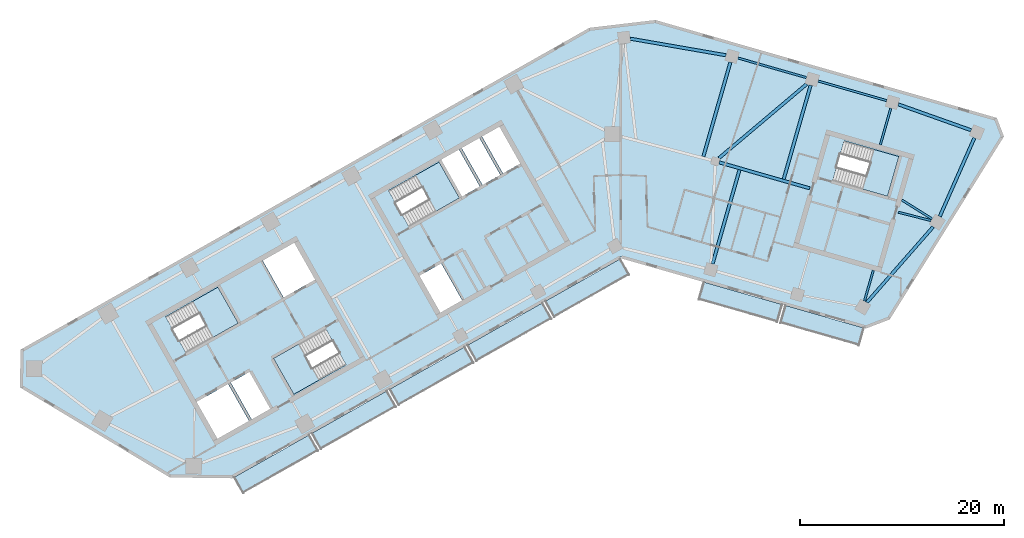
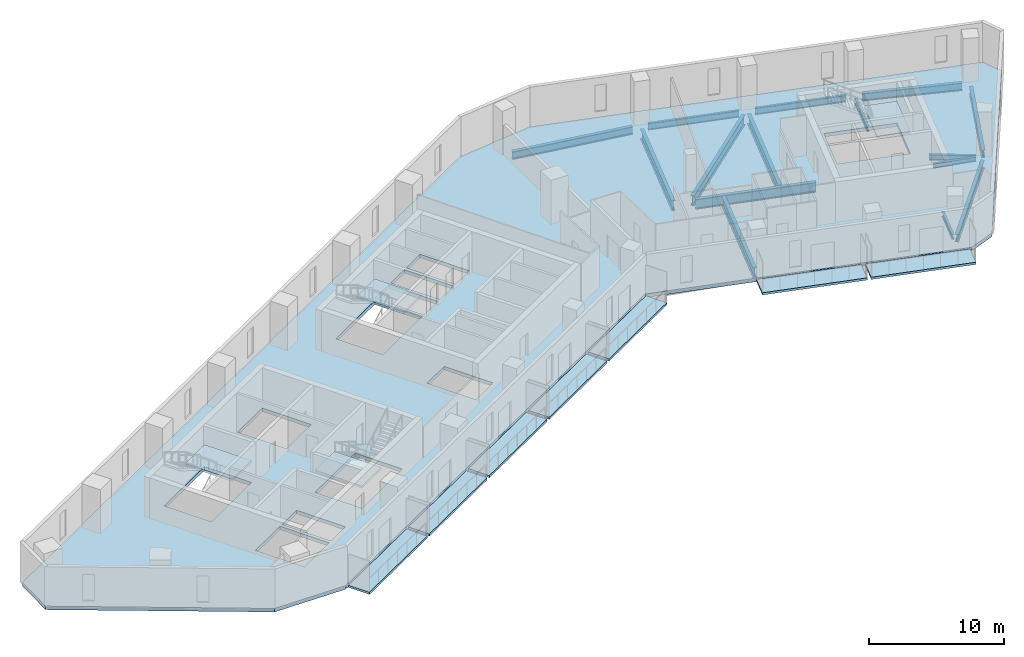
# One storey, part 2 of 9: 15 beams, 12 slabs, 4 elements without a shape of their own.
"""IFC4 building model written with IfcOpenShell, lengths in metres."""

from ifc_helpers import new_model, si_unit, direction, frame, origin, origin_2d, place, context, subcontext, project, spatial, polyline, i_section, outline, extrude, material, layer, layer_set, material_profile, profile_set, type_object, element, aggregate, save


model = new_model("IFC4")

# Units and contexts
model_context = context("Model", 3, precision=1e-05, world=origin(), true_north=direction((0.0, 1.0)))
body_context = subcontext(model_context, "Body", "Model", "MODEL_VIEW")
ifc_project = project(units=[si_unit("LENGTHUNIT", "METRE"), si_unit("AREAUNIT", "SQUARE_METRE"), si_unit("VOLUMEUNIT", "CUBIC_METRE"), si_unit("PLANEANGLEUNIT", "RADIAN"), si_unit("MASSUNIT", "GRAM", prefix="KILO")], contexts=[model_context])

# Site, building, storey
site_placement = place(None, origin())
site = spatial("IfcSite", under=ifc_project, at=site_placement, CompositionType="ELEMENT")
building_placement = place(site_placement, origin())
building = spatial("IfcBuilding", under=site, at=building_placement, Name="Binnacle Exchange Tower", CompositionType="ELEMENT")
storey_placement = place(building_placement, frame((0.0, 0.0, 190.89990234375)))
storey = spatial("IfcBuildingStorey", under=building, at=storey_placement, Name="L41", CompositionType="ELEMENT", Elevation=190.89990234375)

# Beams
ifc_material_1 = material(Name="Steel S355 (SHN355)", Category="steel")
ifc_material_profile_1 = material_profile(ifc_material_1, i_section(OverallWidth=0.201904296875, OverallDepth=0.612060546875, WebThickness=0.012939453125, FlangeThickness=0.02294921875, FilletRadius=0.02197265625, at=origin_2d()), Name="H 612x202x13x23")
ifc_profile_set_1 = profile_set([ifc_material_profile_1], Name="Steel S355 (SHN355)")
beam_type_1 = type_object("IfcBeamType", Name="Edge girder H 612x202x13x23 Steel S355 (SHN355)", PredefinedType="SPANDREL", material=ifc_profile_set_1)
for number, where, z_axis, x_axis, name in (
    (1, (18.16943359375, 65.54150390625, -0.6259765625), (-0.961255274252, 0.275659749916, 0.0), (-0.275659749916, -0.961255274252, 0.0), "S:BM:edge:L41:029"),
    (2, (26.02587890625, 63.288818359375, -0.6259765625), (-0.961267211469, 0.275618120149, 0.0), (-0.275618120149, -0.961267211469, 0.0), "S:BM:edge:L41:031"),
):
    element("IfcBeam", number, at=place(storey_placement, frame(where, z_axis=z_axis, x_axis=x_axis)), inside=storey, type_object=beam_type_1, Name=name, PredefinedType="SPANDREL", context=body_context, shape_type="SweptSolid", body=[
        extrude(i_section(OverallWidth=0.201904296875, OverallDepth=0.612060546875, WebThickness=0.012939453125, FlangeThickness=0.02294921875, FilletRadius=0.02197265625, at=origin_2d()), origin(), (0.0, 0.0, 1.0), 6.972900390625),
    ])
ifc_material_profile_2 = material_profile(ifc_material_1, i_section(OverallWidth=0.300048828125, OverallDepth=0.699951171875, WebThickness=0.012939453125, FlangeThickness=0.02392578125, FilletRadius=0.028076171875, at=origin_2d()), Name="H 700x300x13x24")
ifc_profile_set_2 = profile_set([ifc_material_profile_2], Name="Steel S355 (SHN355)")
beam_type_2 = type_object("IfcBeamType", Name="Edge girder H 700x300x13x24 Steel S355 (SHN355)", PredefinedType="SPANDREL", material=ifc_profile_set_2)
beam_1_placement = place(storey_placement, frame((31.234130859375, 51.94091796875, -0.669921875), z_axis=(0.403470856186, 0.914992496258, 0.0), x_axis=(-0.914992496258, 0.403470856186, 0.0)))
element("IfcBeam", 3, at=beam_1_placement, inside=storey, type_object=beam_type_2, Name="S:BM:edge:L41:032", PredefinedType="SPANDREL", context=body_context, shape_type="SweptSolid", body=[
    extrude(i_section(OverallWidth=0.300048828125, OverallDepth=0.699951171875, WebThickness=0.012939453125, FlangeThickness=0.02392578125, FilletRadius=0.028076171875, at=origin_2d()), origin(), (0.0, 0.0, 1.0), 8.412109375),
])
beam_2_placement = place(storey_placement, frame((34.30419921875, 60.38818359375, -0.669921875), z_axis=(-0.942327723458, 0.334691591771, 0.0), x_axis=(-0.334691591771, -0.942327723458, 0.0)))
element("IfcBeam", 4, at=beam_2_placement, inside=storey, type_object=beam_type_2, Name="S:BM:edge:L41:033", PredefinedType="SPANDREL", context=body_context, shape_type="SweptSolid", body=[
    extrude(i_section(OverallWidth=0.300048828125, OverallDepth=0.699951171875, WebThickness=0.012939453125, FlangeThickness=0.02392578125, FilletRadius=0.028076171875, at=origin_2d()), origin(), (0.0, 0.0, 1.0), 7.57177734375),
])
ifc_material_profile_3 = material_profile(ifc_material_1, i_section(OverallWidth=0.302001953125, OverallDepth=0.7080078125, WebThickness=0.014892578125, FlangeThickness=0.028076171875, FilletRadius=0.028076171875, at=origin_2d()), Name="H 708x302x15x28")
ifc_profile_set_3 = profile_set([ifc_material_profile_3], Name="Steel S355 (SHN355)")
beam_type_3 = type_object("IfcBeamType", Name="Edge girder H 708x302x15x28 Steel S355 (SHN355)", PredefinedType="SPANDREL", material=ifc_profile_set_3)
beam_3_placement = place(storey_placement, frame((10.29541015625, 67.73193359375, -0.673828125), z_axis=(-0.985309861954, 0.170776098841, 0.0), x_axis=(-0.170776098841, -0.985309861954, 0.0)))
element("IfcBeam", 5, at=beam_3_placement, inside=storey, type_object=beam_type_3, Name="S:BM:edge:L41:027", PredefinedType="SPANDREL", context=body_context, shape_type="SweptSolid", body=[
    extrude(i_section(OverallWidth=0.302001953125, OverallDepth=0.7080078125, WebThickness=0.014892578125, FlangeThickness=0.028076171875, FilletRadius=0.028076171875, at=origin_2d()), origin(), (0.0, 0.0, 1.0), 9.518310546875),
])
beam_4_placement = place(storey_placement, frame((24.09326171875, 43.5224609375, -0.673828125), z_axis=(0.659335841855, 0.751848553663, 0.0), x_axis=(-0.751848553663, 0.659335841855, 0.0)))
element("IfcBeam", 6, at=beam_4_placement, inside=storey, type_object=beam_type_3, Name="S:BM:edge:L41:030", PredefinedType="SPANDREL", context=body_context, shape_type="SweptSolid", body=[
    extrude(i_section(OverallWidth=0.302001953125, OverallDepth=0.7080078125, WebThickness=0.014892578125, FlangeThickness=0.028076171875, FilletRadius=0.028076171875, at=origin_2d()), origin(), (0.0, 0.0, 1.0), 9.851318359375),
])
ifc_material_profile_4 = material_profile(ifc_material_1, i_section(OverallWidth=0.199951171875, OverallDepth=0.449951171875, WebThickness=0.009033203125, FlangeThickness=0.013916015625, FilletRadius=0.01806640625, at=origin_2d()), Name="H 450x200x9x14")
ifc_profile_set_4 = profile_set([ifc_material_profile_4], Name="Steel S355 (SHN355)")
beam_type_4 = type_object("IfcBeamType", Name="Floor beam H 450x200x9x14 Steel S355 (SHN355)", PredefinedType="BEAM", material=ifc_profile_set_4)
beam_5_placement = place(storey_placement, frame((23.860595703125, 43.6572265625, -0.544921875), z_axis=(0.275637043779, 0.961261785414, 0.0), x_axis=(-0.961261785414, 0.275637043779, 0.0)))
element("IfcBeam", 7, at=beam_5_placement, inside=storey, type_object=beam_type_4, Name="S:BM:cross:L41:051", PredefinedType="BEAM", context=body_context, shape_type="SweptSolid", body=[
    extrude(i_section(OverallWidth=0.199951171875, OverallDepth=0.449951171875, WebThickness=0.009033203125, FlangeThickness=0.013916015625, FilletRadius=0.01806640625, at=origin_2d()), origin(), (0.0, 0.0, 1.0), 3.1328125),
])
ifc_material_profile_5 = material_profile(ifc_material_1, i_section(OverallWidth=0.199951171875, OverallDepth=0.5, WebThickness=0.010009765625, FlangeThickness=0.01611328125, FilletRadius=0.02001953125, at=origin_2d()), Name="H 500x200x10x16")
ifc_profile_set_5 = profile_set([ifc_material_profile_5], Name="Steel S355 (SHN355)")
beam_type_5 = type_object("IfcBeamType", Name="Floor beam H 500x200x10x16 Steel S355 (SHN355)", PredefinedType="BEAM", material=ifc_profile_set_5)
beam_6_placement = place(storey_placement, frame((26.437255859375, 62.546630859375, -0.56982421875), z_axis=(-0.275644746045, -0.961259576794, 0.0), x_axis=(0.961259576794, -0.275644746045, 0.0)))
element("IfcBeam", 8, at=beam_6_placement, inside=storey, type_object=beam_type_5, Name="S:BM:cross:L41:052", PredefinedType="BEAM", context=body_context, shape_type="SweptSolid", body=[
    extrude(i_section(OverallWidth=0.199951171875, OverallDepth=0.5, WebThickness=0.010009765625, FlangeThickness=0.01611328125, FilletRadius=0.02001953125, at=origin_2d()), origin(), (0.0, 0.0, 1.0), 3.735107421875),
])
beam_7_placement = place(storey_placement, frame((30.480712890625, 51.704345703125, -0.56982421875), z_axis=(-0.848084620748, 0.529860808186, 0.0), x_axis=(-0.529860808186, -0.848084620748, 0.0)))
element("IfcBeam", 9, at=beam_7_placement, inside=storey, type_object=beam_type_5, Name="S:BM:cross:L41:053", PredefinedType="BEAM", context=body_context, shape_type="SweptSolid", body=[
    extrude(i_section(OverallWidth=0.199951171875, OverallDepth=0.5, WebThickness=0.010009765625, FlangeThickness=0.01611328125, FilletRadius=0.02001953125, at=origin_2d()), origin(), (0.0, 0.0, 1.0), 3.495361328125),
])
ifc_material_profile_6 = material_profile(ifc_material_1, i_section(OverallWidth=0.302001953125, OverallDepth=0.912109375, WebThickness=0.01806640625, FlangeThickness=0.033935546875, FilletRadius=0.028076171875, at=origin_2d()), Name="H 912x302x18x34")
ifc_profile_set_6 = profile_set([ifc_material_profile_6], Name="Steel S355 (SHN355)")
beam_type_6 = type_object("IfcBeamType", Name="Floor beam H 912x302x18x34 Steel S355 (SHN355)", PredefinedType="BEAM", material=ifc_profile_set_6)
beam_8_placement = place(storey_placement, frame((8.974853515625, 47.299072265625, -0.77587890625), z_axis=(0.275642748758, 0.961260149521, 0.0), x_axis=(-0.961260149521, 0.275642748758, 0.0)))
element("IfcBeam", 10, at=beam_8_placement, inside=storey, type_object=beam_type_6, Name="S:BM:cross:L41:047", PredefinedType="BEAM", context=body_context, shape_type="SweptSolid", body=[
    extrude(i_section(OverallWidth=0.302001953125, OverallDepth=0.912109375, WebThickness=0.01806640625, FlangeThickness=0.033935546875, FilletRadius=0.028076171875, at=origin_2d()), origin(), (0.0, 0.0, 1.0), 9.585205078125),
])
beam_9_placement = place(storey_placement, frame((10.724609375, 67.05224609375, -0.77587890625), z_axis=(-0.275623285325, -0.961265730475, 0.0), x_axis=(0.961265730475, -0.275623285325, 0.0)))
element("IfcBeam", 11, at=beam_9_placement, inside=storey, type_object=beam_type_6, Name="S:BM:cross:L41:048", PredefinedType="BEAM", context=body_context, shape_type="SweptSolid", body=[
    extrude(i_section(OverallWidth=0.302001953125, OverallDepth=0.912109375, WebThickness=0.01806640625, FlangeThickness=0.033935546875, FilletRadius=0.028076171875, at=origin_2d()), origin(), (0.0, 0.0, 1.0), 9.61328125),
])
beam_10_placement = place(storey_placement, frame((18.580810546875, 64.79931640625, -0.77587890625), z_axis=(-0.275625961623, -0.961264963098, 0.0), x_axis=(0.961264963098, -0.275625961623, 0.0)))
element("IfcBeam", 12, at=beam_10_placement, inside=storey, type_object=beam_type_6, Name="S:BM:cross:L41:050", PredefinedType="BEAM", context=body_context, shape_type="SweptSolid", body=[
    extrude(i_section(OverallWidth=0.302001953125, OverallDepth=0.912109375, WebThickness=0.01806640625, FlangeThickness=0.033935546875, FilletRadius=0.028076171875, at=origin_2d()), origin(), (0.0, 0.0, 1.0), 9.5849609375),
])
ifc_material_profile_7 = material_profile(ifc_material_1, i_section(OverallWidth=0.199951171875, OverallDepth=0.39990234375, WebThickness=0.008056640625, FlangeThickness=0.012939453125, FilletRadius=0.01611328125, at=origin_2d()), Name="H 400x200x8x13")
ifc_profile_set_7 = profile_set([ifc_material_profile_7], Name="Steel S355 (SHN355)")
beam_type_7 = type_object("IfcBeamType", Name="Spine girder H 400x200x8x13 Steel S355 (SHN355)", PredefinedType="BEAM", material=ifc_profile_set_7)
beam_11_placement = place(storey_placement, frame((27.17138671875, 52.35400390625, -0.52001953125), z_axis=(0.969342999561, -0.245711516217, 0.0), x_axis=(0.245711516217, 0.969342999561, 0.0)))
element("IfcBeam", 13, at=beam_11_placement, inside=storey, type_object=beam_type_7, Name="S:BM:spine:L41:010", PredefinedType="BEAM", context=body_context, shape_type="SweptSolid", body=[
    extrude(i_section(OverallWidth=0.199951171875, OverallDepth=0.39990234375, WebThickness=0.008056640625, FlangeThickness=0.012939453125, FilletRadius=0.01611328125, at=origin_2d()), origin(), (0.0, 0.0, 1.0), 3.30859375),
])
ifc_material_profile_8 = material_profile(ifc_material_1, i_section(OverallWidth=0.302001953125, OverallDepth=0.912109375, WebThickness=0.01806640625, FlangeThickness=0.033935546875, FilletRadius=0.028076171875, at=origin_2d()), Name="H 912x302x18x34")
ifc_profile_set_8 = profile_set([ifc_material_profile_8], Name="Steel S355 (SHN355)")
beam_type_8 = type_object("IfcBeamType", Name="Spine girder H 912x302x18x34 Steel S355 (SHN355)", PredefinedType="BEAM", material=ifc_profile_set_8)
beam_12_placement = place(storey_placement, frame((9.60888671875, 57.660888671875, -0.77587890625), z_axis=(0.764057522707, 0.645148124073, 0.0), x_axis=(-0.645148124073, 0.764057522707, 0.0)))
element("IfcBeam", 14, at=beam_12_placement, inside=storey, type_object=beam_type_8, Name="S:BM:spine:L41:008", PredefinedType="BEAM", context=body_context, shape_type="SweptSolid", body=[
    extrude(i_section(OverallWidth=0.302001953125, OverallDepth=0.912109375, WebThickness=0.01806640625, FlangeThickness=0.033935546875, FilletRadius=0.028076171875, at=origin_2d()), origin(), (0.0, 0.0, 1.0), 11.237060546875),
])
beam_13_placement = place(storey_placement, frame((9.62548828125, 57.239990234375, -0.77587890625), z_axis=(0.961259511383, -0.275644974153, 0.0), x_axis=(0.275644974153, 0.961259511383, 0.0)))
element("IfcBeam", 15, at=beam_13_placement, inside=storey, type_object=beam_type_8, Name="S:BM:spine:L41:009", PredefinedType="BEAM", context=body_context, shape_type="SweptSolid", body=[
    extrude(i_section(OverallWidth=0.302001953125, OverallDepth=0.912109375, WebThickness=0.01806640625, FlangeThickness=0.033935546875, FilletRadius=0.028076171875, at=origin_2d()), origin(), (0.0, 0.0, 1.0), 9.213134765625),
])

# Slabs
ifc_material_2 = material(Name="Concrete C35/45", Category="concrete")
ifc_layer_1 = layer(ifc_material_2, 0.199951171875)
ifc_layer_set_1 = layer_set([ifc_layer_1], Name="BALCONY SLAB 200")
slab_type_1 = type_object("IfcSlabType", Name="BALCONY SLAB 200", PredefinedType="FLOOR", material=ifc_layer_set_1)
slab_1_placement = place(storey_placement, frame((0.0, 0.0, -0.199951171875)))
element("IfcSlab", 16, at=slab_1_placement, inside=storey, type_object=slab_type_1, Name="Balcony BA-G01-00 L41", PredefinedType="FLOOR", context=body_context, shape_type="SweptSolid", body=[
    extrude(outline(polyline([(-37.893310546875, 26.388671875), (-30.534912109375, 30.5517578125), (-29.648681640625, 28.985107421875), (-37.007080078125, 24.822021484375), (-37.893310546875, 26.388671875)])), origin(), (0.0, 0.0, 1.0), 0.199951171875),
])
slab_2_placement = place(storey_placement, frame((0.0, 0.0, -0.199951171875)))
element("IfcSlab", 17, at=slab_2_placement, inside=storey, type_object=slab_type_1, Name="Balcony BA-G01-01 L41", PredefinedType="FLOOR", context=body_context, shape_type="SweptSolid", body=[
    extrude(outline(polyline([(-30.27392578125, 30.699462890625), (-22.915283203125, 34.86279296875), (-22.029052734375, 33.296142578125), (-29.387451171875, 29.1328125), (-30.27392578125, 30.699462890625)])), origin(), (0.0, 0.0, 1.0), 0.199951171875),
])
slab_3_placement = place(storey_placement, frame((0.0, 0.0, -0.199951171875)))
element("IfcSlab", 18, at=slab_3_placement, inside=storey, type_object=slab_type_1, Name="Balcony BA-G01-02 L41", PredefinedType="FLOOR", context=body_context, shape_type="SweptSolid", body=[
    extrude(outline(polyline([(-22.654296875, 35.010498046875), (-15.2958984375, 39.173583984375), (-14.409423828125, 37.607177734375), (-21.767822265625, 33.44384765625), (-22.654296875, 35.010498046875)])), origin(), (0.0, 0.0, 1.0), 0.199951171875),
])
slab_4_placement = place(storey_placement, frame((0.0, 0.0, -0.199951171875)))
element("IfcSlab", 19, at=slab_4_placement, inside=storey, type_object=slab_type_1, Name="Balcony BA-G01-03 L41", PredefinedType="FLOOR", context=body_context, shape_type="SweptSolid", body=[
    extrude(outline(polyline([(-15.03466796875, 39.3212890625), (-7.67626953125, 43.484619140625), (-6.789794921875, 41.91796875), (-14.148193359375, 37.7548828125), (-15.03466796875, 39.3212890625)])), origin(), (0.0, 0.0, 1.0), 0.199951171875),
])
slab_5_placement = place(storey_placement, frame((0.0, 0.0, -0.199951171875)))
element("IfcSlab", 20, at=slab_5_placement, inside=storey, type_object=slab_type_1, Name="Balcony BA-G01-04 L41", PredefinedType="FLOOR", context=body_context, shape_type="SweptSolid", body=[
    extrude(outline(polyline([(-7.4150390625, 43.63232421875), (-0.056640625, 47.795654296875), (0.82958984375, 46.22900390625), (-6.52880859375, 42.06591796875), (-7.4150390625, 43.63232421875)])), origin(), (0.0, 0.0, 1.0), 0.199951171875),
])
slab_6_placement = place(storey_placement, frame((0.0, 0.0, -0.199951171875)))
element("IfcSlab", 21, at=slab_6_placement, inside=storey, type_object=slab_type_1, Name="Balcony BA-G02-01 L41", PredefinedType="FLOOR", context=body_context, shape_type="SweptSolid", body=[
    extrude(outline(polyline([(8.100830078125, 45.52099609375), (15.810546875, 43.310302734375), (15.314453125, 41.580078125), (7.604736328125, 43.790771484375), (8.100830078125, 45.52099609375)])), origin(), (0.0, 0.0, 1.0), 0.199951171875),
])
slab_7_placement = place(storey_placement, frame((0.0, 0.0, -0.199951171875)))
element("IfcSlab", 22, at=slab_7_placement, inside=storey, type_object=slab_type_1, Name="Balcony BA-G02-02 L41", PredefinedType="FLOOR", context=body_context, shape_type="SweptSolid", body=[
    extrude(outline(polyline([(16.09912109375, 43.2275390625), (23.80859375, 41.016845703125), (23.3125, 39.28662109375), (15.602783203125, 41.497314453125), (16.09912109375, 43.2275390625)])), origin(), (0.0, 0.0, 1.0), 0.199951171875),
])
ifc_layer_2 = layer(ifc_material_2, 0.320068359375)
ifc_layer_set_2 = layer_set([ifc_layer_2], Name="Floor slab 320 Concrete C35/45")
slab_type_2 = type_object("IfcSlabType", Name="Floor slab 320 Concrete C35/45", PredefinedType="FLOOR", material=ifc_layer_set_2)
slab_8_placement = place(storey_placement, frame((0.0, 0.0, -0.31982421875)))
element("IfcSlab", 23, at=slab_8_placement, inside=storey, type_object=slab_type_2, Name="S:SL:L41:01", PredefinedType="FLOOR", context=body_context, shape_type="SweptSolid", body=[
    extrude(outline(polyline([(-58.716064453125, 35.280029296875), (-58.669921875, 38.80615234375), (-3.046142578125, 70.276611328125), (3.364501953125, 71.035400390625), (36.71240234375, 61.472900390625), (37.359375, 59.787353515625), (26.23095703125, 41.978515625), (23.994140625, 41.119873046875), (0.0, 48.0), (-38.097900390625, 26.4453125), (-44.14404296875, 26.5244140625), (-58.716064453125, 35.280029296875)]), holes=[polyline([(-38.4794921875, 35.529296875), (-41.61279296875, 33.756591796875), (-39.544677734375, 30.10107421875), (-36.411376953125, 31.873779296875), (-38.4794921875, 35.529296875)]), polyline([(-36.390625, 36.711181640625), (-38.21826171875, 35.677001953125), (-36.150146484375, 32.021484375), (-34.322509765625, 33.0556640625), (-36.390625, 36.711181640625)]), polyline([(-32.04638671875, 34.515625), (-26.9287109375, 37.4111328125), (-28.923095703125, 40.93603515625), (-34.040771484375, 38.04052734375), (-32.04638671875, 34.515625)]), polyline([(-37.486572265625, 41.4912109375), (-39.480712890625, 45.01611328125), (-44.598388671875, 42.12060546875), (-42.604248046875, 38.595703125), (-37.486572265625, 41.4912109375)]), polyline([(-29.914306640625, 45.775390625), (-31.982666015625, 49.430908203125), (-35.115966796875, 47.657958984375), (-33.047607421875, 44.00244140625), (-29.914306640625, 45.775390625)]), polyline([(-17.81689453125, 57.27294921875), (-22.760498046875, 54.47607421875), (-20.76611328125, 50.950927734375), (-15.822509765625, 53.748046875), (-17.81689453125, 57.27294921875)]), polyline([(-15.53076171875, 43.6875), (-17.598876953125, 47.343017578125), (-19.77490234375, 46.11181640625), (-17.70654296875, 42.456298828125), (-15.53076171875, 43.6875)]), polyline([(-13.82080078125, 54.880615234375), (-15.888916015625, 58.5361328125), (-17.629638671875, 57.55126953125), (-15.5615234375, 53.895751953125), (-13.82080078125, 54.880615234375)]), polyline([(27.227783203125, 57.810302734375), (21.864013671875, 59.348388671875), (20.74755859375, 55.455078125), (26.111328125, 53.9169921875), (27.227783203125, 57.810302734375)]), polyline([(-11.819091796875, 56.01318359375), (-13.88720703125, 59.668701171875), (-15.6279296875, 58.683837890625), (-13.559814453125, 55.0283203125), (-11.819091796875, 56.01318359375)]), polyline([(-9.817138671875, 57.145751953125), (-11.885498046875, 60.80126953125), (-13.626220703125, 59.81640625), (-11.557861328125, 56.160888671875), (-9.817138671875, 57.145751953125)])]), origin(), (0.0, 0.0, 1.0), 0.31982421875),
])

# Stair, slab
stair_type = type_object("IfcStairType", Name="STAIR 24 RISERS 167", PredefinedType="HALF_TURN_STAIR", material=ifc_material_2)
stair_1_placement = place(storey_placement, origin())
stair_1 = element("IfcStair", 24, at=stair_1_placement, inside=storey, type_object=stair_type, Name="L41 Escape stair A1", PredefinedType="HALF_TURN_STAIR")
ifc_layer_3 = layer(ifc_material_2, 0.199951171875)
ifc_layer_set_3 = layer_set([ifc_layer_3], Name="STAIR LANDING 200")
slab_type_3 = type_object("IfcSlabType", Name="STAIR LANDING 200", PredefinedType="LANDING", material=ifc_layer_set_3)
slab_9_placement = place(storey_placement, frame((0.0, 0.0, 1.800048828125)))
slab_9 = element("IfcSlab", 25, at=slab_9_placement, type_object=slab_type_3, Name="STA1 landing 1", PredefinedType="LANDING", context=body_context, shape_type="SweptSolid", body=[
    extrude(outline(polyline([(-39.958251953125, 40.0927734375), (-37.486572265625, 41.4912109375), (-39.48095703125, 45.01611328125), (-41.95263671875, 43.61767578125), (-39.958251953125, 40.0927734375)])), origin(), (0.0, 0.0, 1.0), 0.199951171875),
])
aggregate(stair_1, [slab_9])

stair_2_placement = place(storey_placement, origin())
stair_2 = element("IfcStair", 26, at=stair_2_placement, inside=storey, type_object=stair_type, Name="L41 Escape stair A2", PredefinedType="HALF_TURN_STAIR")
slab_10_placement = place(storey_placement, frame((0.0, 0.0, 1.800048828125)))
slab_10 = element("IfcSlab", 27, at=slab_10_placement, type_object=slab_type_3, Name="STA2 landing 1", PredefinedType="LANDING", context=body_context, shape_type="SweptSolid", body=[
    extrude(outline(polyline([(-31.56884765625, 39.439208984375), (-34.040771484375, 38.04052734375), (-32.04638671875, 34.515625), (-29.574462890625, 35.9140625), (-31.56884765625, 39.439208984375)])), origin(), (0.0, 0.0, 1.0), 0.199951171875),
])
aggregate(stair_2, [slab_10])

stair_3_placement = place(storey_placement, origin())
stair_3 = element("IfcStair", 28, at=stair_3_placement, inside=storey, type_object=stair_type, Name="L41 Escape stair C1", PredefinedType="HALF_TURN_STAIR")
slab_11_placement = place(storey_placement, frame((0.0, 0.0, 1.800048828125)))
slab_11 = element("IfcSlab", 29, at=slab_11_placement, type_object=slab_type_3, Name="STC1 landing 1", PredefinedType="LANDING", context=body_context, shape_type="SweptSolid", body=[
    extrude(outline(polyline([(-18.120361328125, 52.447998046875), (-15.822509765625, 53.748046875), (-17.81689453125, 57.27294921875), (-20.11474609375, 55.972900390625), (-18.120361328125, 52.447998046875)])), origin(), (0.0, 0.0, 1.0), 0.199951171875),
])
aggregate(stair_3, [slab_11])

stair_4_placement = place(storey_placement, origin())
stair_4 = element("IfcStair", 30, at=stair_4_placement, inside=storey, type_object=stair_type, Name="L41 Escape stair D1", PredefinedType="HALF_TURN_STAIR")
slab_12_placement = place(storey_placement, frame((0.0, 0.0, 1.800048828125)))
slab_12 = element("IfcSlab", 31, at=slab_12_placement, type_object=slab_type_3, Name="STD1 landing 1", PredefinedType="LANDING", context=body_context, shape_type="SweptSolid", body=[
    extrude(outline(polyline([(23.669677734375, 54.6171875), (26.111328125, 53.917236328125), (27.227783203125, 57.810302734375), (24.7861328125, 58.51025390625), (23.669677734375, 54.6171875)])), origin(), (0.0, 0.0, 1.0), 0.199951171875),
])
aggregate(stair_4, [slab_12])

save(model, "model.ifc")
